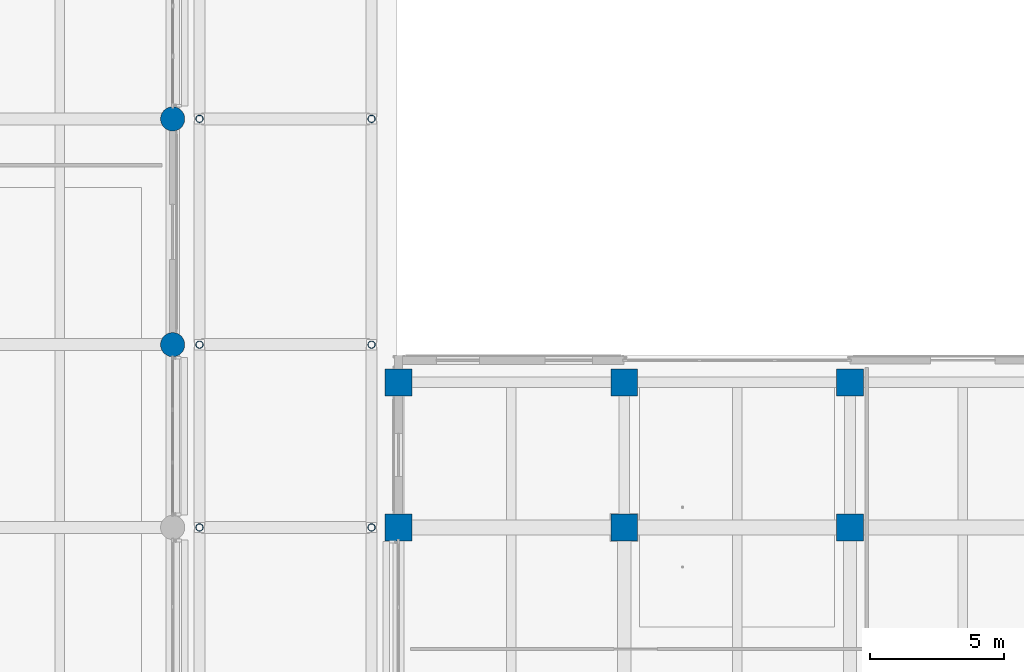
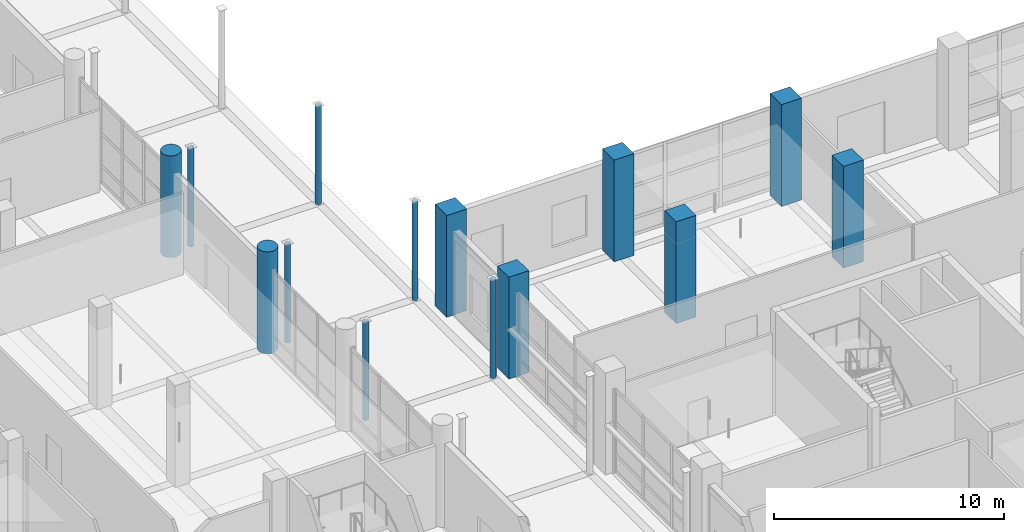
# One storey, part 5 of 140: 14 columns.
"""IFC4 building model written with IfcOpenShell, lengths in metres."""

from ifc_helpers import new_model, si_unit, direction, frame, origin, origin_2d, place, context, subcontext, project, spatial, rectangle, circle, hollow_circle, extrude, material, material_profile, profile_set, type_object, element, save


model = new_model("IFC4")

# Units and contexts
model_context = context("Model", 3, precision=1e-05, world=origin(), true_north=direction((0.0, 1.0)))
body_context = subcontext(model_context, "Body", "Model", "MODEL_VIEW")
ifc_project = project(units=[si_unit("LENGTHUNIT", "METRE"), si_unit("AREAUNIT", "SQUARE_METRE"), si_unit("VOLUMEUNIT", "CUBIC_METRE"), si_unit("PLANEANGLEUNIT", "RADIAN"), si_unit("MASSUNIT", "GRAM", prefix="KILO")], contexts=[model_context])

# Site, building, storey
site_placement = place(None, origin())
site = spatial("IfcSite", under=ifc_project, at=site_placement, CompositionType="ELEMENT")
building_placement = place(site_placement, origin())
building = spatial("IfcBuilding", under=site, at=building_placement, Name="Telukmera Botanical Conservatory", CompositionType="ELEMENT")
storey_placement = place(building_placement, origin())
storey = spatial("IfcBuildingStorey", under=building, at=storey_placement, Name="L00", CompositionType="ELEMENT", Elevation=0.0)

# Columns
ifc_material_1 = material(Name="Concrete C40/50", Category="concrete")
ifc_material_profile_1 = material_profile(ifc_material_1, circle(Radius=0.449951171875, at=origin_2d()), Name="RC D900")
ifc_profile_set_1 = profile_set([ifc_material_profile_1], Name="Concrete C40/50")
column_type_1 = type_object("IfcColumnType", Name="Col_C16", PredefinedType="COLUMN", material=ifc_profile_set_1)
for number, where, z_axis, x_axis, name in (
    (1, (42.0, 49.60009765625, 0.0), (0.0, 0.0, 1.0), (1.0, 0.0, 0.0), "Column V3-L00 (42.0,49.6)"),
    (2, (42.0, 58.0, 0.0), (0.0, 0.0, 1.0), (1.0, 0.0, 0.0), "Column V3-L00 (42.0,58.0)"),
):
    element("IfcColumn", number, at=place(storey_placement, frame(where, z_axis=z_axis, x_axis=x_axis)), inside=storey, type_object=column_type_1, Name=name, PredefinedType="COLUMN", context=body_context, shape_type="SweptSolid", body=[
        extrude(circle(Radius=0.449951171875, at=origin_2d()), origin(), (0.0, 0.0, 1.0), 5.39990234375),
    ])
ifc_material_2 = material(Name="Concrete C50/60", Category="concrete")
ifc_material_profile_2 = material_profile(ifc_material_2, rectangle(XDim=1.0, YDim=1.0, at=origin_2d()), Name="RC 1000x1000")
ifc_profile_set_2 = profile_set([ifc_material_profile_2], Name="Concrete C50/60")
column_type_2 = type_object("IfcColumnType", Name="Col_C3", PredefinedType="COLUMN", material=ifc_profile_set_2)
for number, where, z_axis, x_axis, name in (
    (3, (50.39990234375, 42.800048828125, 0.0), (0.0, 0.0, 1.0), (1.0, 0.0, 0.0), "Column V4-L00 (50.4,42.8)"),
    (4, (50.39990234375, 48.199951171875, 0.0), (0.0, 0.0, 1.0), (1.0, 0.0, 0.0), "Column V4-L00 (50.4,48.2)"),
    (5, (58.800048828125, 42.800048828125, 0.0), (0.0, 0.0, 1.0), (1.0, 0.0, 0.0), "Column V4-L00 (58.8,42.8)"),
    (6, (58.800048828125, 48.199951171875, 0.0), (0.0, 0.0, 1.0), (1.0, 0.0, 0.0), "Column V4-L00 (58.8,48.2)"),
    (7, (67.199951171875, 42.800048828125, 0.0), (0.0, 0.0, 1.0), (1.0, 0.0, 0.0), "Column V4-L00 (67.2,42.8)"),
    (8, (67.199951171875, 48.199951171875, 0.0), (0.0, 0.0, 1.0), (1.0, 0.0, 0.0), "Column V4-L00 (67.2,48.2)"),
):
    element("IfcColumn", number, at=place(storey_placement, frame(where, z_axis=z_axis, x_axis=x_axis)), inside=storey, type_object=column_type_2, Name=name, PredefinedType="COLUMN", context=body_context, shape_type="SweptSolid", body=[
        extrude(rectangle(XDim=1.0, YDim=1.0, at=origin_2d()), origin(), (0.0, 0.0, 1.0), 5.39990234375),
    ])
ifc_material_3 = material(Name="Steel S355", Category="steel")
ifc_material_profile_3 = material_profile(ifc_material_3, hollow_circle(Radius=0.136474609375, WallThickness=0.010009765625, at=origin_2d()), Name="CHS 273.0x10.0")
ifc_profile_set_3 = profile_set([ifc_material_profile_3], Name="Steel S355")
column_type_3 = type_object("IfcColumnType", Name="Col_SC2", PredefinedType="COLUMN", material=ifc_profile_set_3)
for number, where, z_axis, x_axis, name in (
    (9, (43.0, 42.800048828125, 0.0), (0.0, 0.0, 1.0), (1.0, 0.0, 0.0), "Column V5-L00 (43.0,42.8)"),
    (10, (49.39990234375, 42.800048828125, 0.0), (0.0, 0.0, 1.0), (1.0, 0.0, 0.0), "Column V5-L00 (49.4,42.8)"),
    (11, (43.0, 49.60009765625, 0.0), (0.0, 0.0, 1.0), (1.0, 0.0, 0.0), "Column V5-L00 (43.0,49.6)"),
    (12, (49.39990234375, 49.60009765625, 0.0), (0.0, 0.0, 1.0), (1.0, 0.0, 0.0), "Column V5-L00 (49.4,49.6)"),
    (13, (43.0, 58.0, 0.0), (0.0, 0.0, 1.0), (1.0, 0.0, 0.0), "Column V5-L00 (43.0,58.0)"),
    (14, (49.39990234375, 58.0, 0.0), (0.0, 0.0, 1.0), (1.0, 0.0, 0.0), "Column V5-L00 (49.4,58.0)"),
):
    element("IfcColumn", number, at=place(storey_placement, frame(where, z_axis=z_axis, x_axis=x_axis)), inside=storey, type_object=column_type_3, Name=name, PredefinedType="COLUMN", context=body_context, shape_type="SweptSolid", body=[
        extrude(hollow_circle(Radius=0.136474609375, WallThickness=0.010009765625, at=origin_2d()), origin(), (0.0, 0.0, 1.0), 5.239990234375),
    ])

save(model, "model.ifc")
